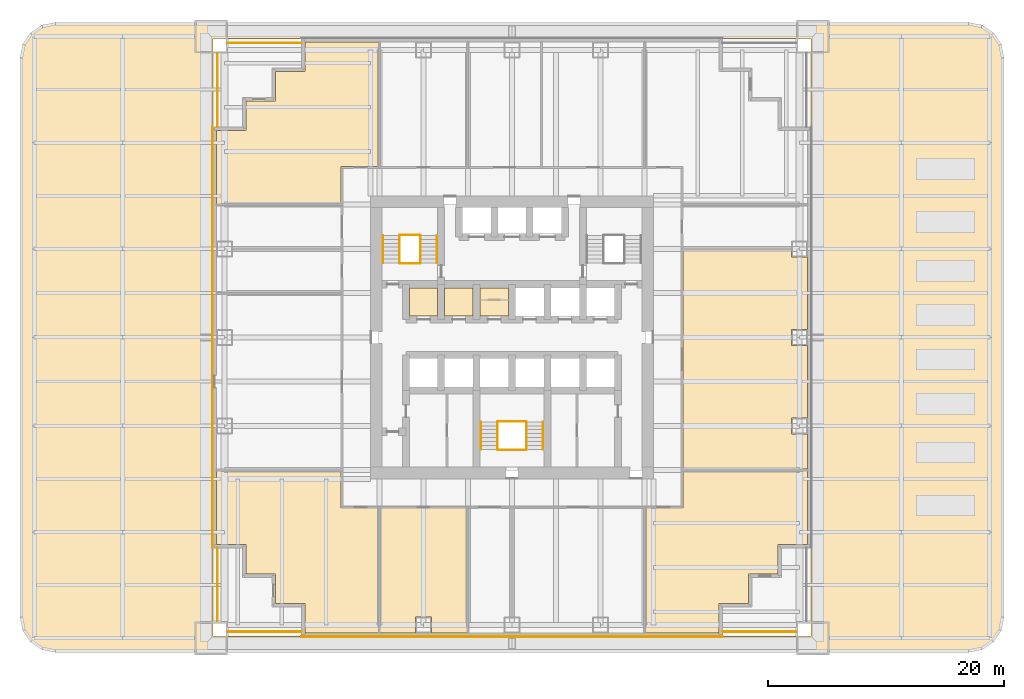
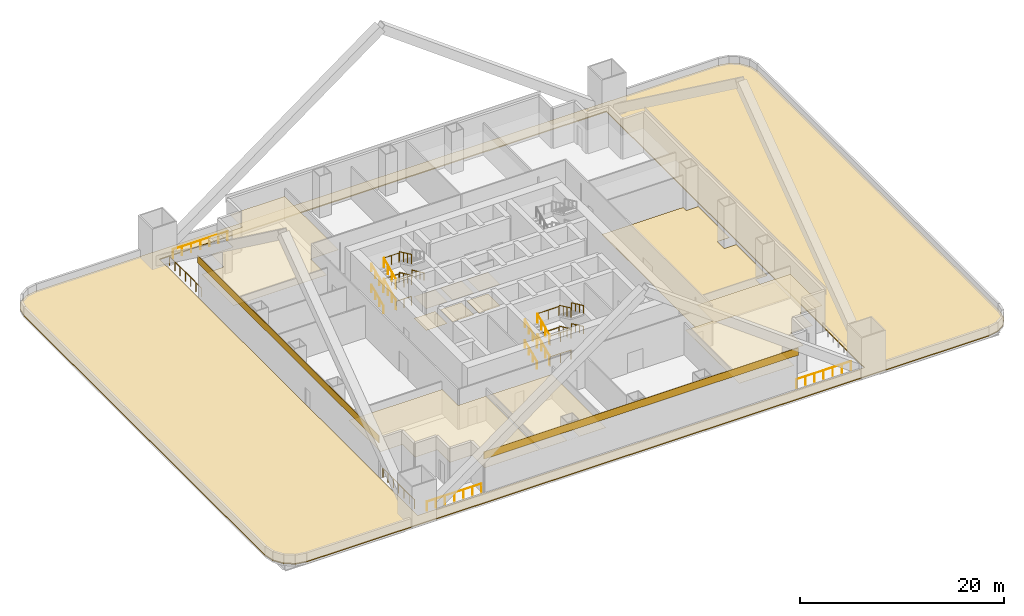
# One storey, part 9 of 10: 28 railings, 14 coverings.
"""IFC4 building model written with IfcOpenShell, lengths in metres."""

import ifcopenshell
import ifcopenshell.guid

model = None  # the IFC model being written
_history = None  # IfcOwnerHistory: only IFC2X3 demands one
_inside = {}  # id of a spatial element -> (the spatial element, [elements in it])
_under = {}  # id of a project, library or spatial element -> (it, [spatial elements below it])
_declared = {}  # id of a project -> (the project, [libraries it declares])
_typed = {}  # id of a type object -> (the type object, [elements of that type])
_made_of = {}  # id of a material, layer set ... -> (it, [elements and type objects made of it])


def new_model(schema):
    """Start an empty IFC model of exactly this schema.

    Asked for "IFC4X3", IfcOpenShell would pick the latest addendum, in which some entities
    have other attributes; the version numbers below select the first issue.
    IFC2X3 requires an IfcOwnerHistory on every rooted entity: one is made here for all.
    """
    global model, _history
    if schema == "IFC4X3":
        model = ifcopenshell.file(schema_version=(4, 3, 0, 0))
    else:
        model = ifcopenshell.file(schema=schema)
    _inside.clear()
    _under.clear()
    _declared.clear()
    _typed.clear()
    _made_of.clear()
    _history = None
    if model.schema == "IFC2X3":
        org = make("IfcOrganization", Name="unknown")
        user = make(
            "IfcPersonAndOrganization",
            ThePerson=make("IfcPerson", FamilyName="unknown"),
            TheOrganization=org,
        )
        app = make(
            "IfcApplication",
            ApplicationDeveloper=org,
            Version="unknown",
            ApplicationFullName="unknown",
            ApplicationIdentifier="unknown",
        )
        _history = make(
            "IfcOwnerHistory",
            OwningUser=user,
            OwningApplication=app,
            ChangeAction="ADDED",
            CreationDate=0,
        )
    return model


def make(cls, **values):
    """One entity of the class cls with the attributes given. An attribute that is None is left unset."""
    return model.create_entity(
        cls, **{name: value for name, value in values.items() if value is not None}
    )


def rooted(cls, **values):
    """An entity with a GlobalId (a new one), such as an element, a storey or a relation."""
    return make(cls, GlobalId=ifcopenshell.guid.new(), OwnerHistory=_history, **values)


def si_unit(unit_type, name, prefix=None):
    """IfcSIUnit, for example si_unit("LENGTHUNIT", "METRE", prefix="MILLI")."""
    return make("IfcSIUnit", UnitType=unit_type, Prefix=prefix, Name=name)


def assignment(units):
    """IfcUnitAssignment: the units of a project."""
    return None if units is None else make("IfcUnitAssignment", Units=units)


def point(xyz):
    """IfcCartesianPoint."""
    return None if xyz is None else make("IfcCartesianPoint", Coordinates=xyz)


def direction(xyz):
    """IfcDirection."""
    return None if xyz is None else make("IfcDirection", DirectionRatios=xyz)


def frame(location, z_axis=None, x_axis=None):
    """IfcAxis2Placement3D, a coordinate frame: its origin and axes. An axis left out is left unset."""
    return make(
        "IfcAxis2Placement3D",
        Location=point(location),
        Axis=direction(z_axis),
        RefDirection=direction(x_axis),
    )


def frame_2d(location, x_axis=None):
    """IfcAxis2Placement2D, a coordinate frame in the plane: its origin and x axis."""
    return make(
        "IfcAxis2Placement2D", Location=point(location), RefDirection=direction(x_axis)
    )


def origin():
    """The frame at (0, 0, 0) with its axes left unset."""
    return frame((0.0, 0.0, 0.0))


def origin_2d():
    """The frame at (0, 0) in the plane with its x axis left unset."""
    return frame_2d((0.0, 0.0))


def place(relative_to, where):
    """IfcLocalPlacement: puts the frame where relative to a parent placement (None: the world)."""
    return make(
        "IfcLocalPlacement", PlacementRelTo=relative_to, RelativePlacement=where
    )


def context(
    kind, dimensions, precision=None, world=None, true_north=None, identifier=None
):
    """IfcGeometricRepresentationContext, for example the 3D "Model" context."""
    return make(
        "IfcGeometricRepresentationContext",
        ContextIdentifier=identifier,
        ContextType=kind,
        CoordinateSpaceDimension=dimensions,
        Precision=precision,
        WorldCoordinateSystem=world,
        TrueNorth=true_north,
    )


def subcontext(parent, identifier, kind, view, scale=None):
    """IfcGeometricRepresentationSubContext, for example "Body" below "Model"."""
    return make(
        "IfcGeometricRepresentationSubContext",
        ContextIdentifier=identifier,
        ContextType=kind,
        ParentContext=parent,
        TargetScale=scale,
        TargetView=view,
    )


def project(units=None, contexts=None):
    """IfcProject with its units and contexts."""
    return rooted(
        "IfcProject",
        Name="project",
        RepresentationContexts=contexts,
        UnitsInContext=assignment(units),
    )


def spatial(cls, under=None, at=None, **own):
    """A site, building, storey or space (cls), placed at a placement, below another one or the project."""
    s = rooted(cls, ObjectPlacement=at, **own)
    if under is not None:
        _under.setdefault(under.id(), (under, []))[1].append(s)
    return s


def polyline(points):
    """IfcPolyline through the points."""
    return make("IfcPolyline", Points=[point(p) for p in points])


def profile(cls, at=None, kind="AREA", **sizes):
    """A parametric profile (cls). Its sizes go by their IFC names, for example OverallWidth=200.0."""
    return make(cls, ProfileType=kind, Position=at, **sizes)


def rectangle(**sizes):
    """IfcRectangleProfileDef."""
    return profile("IfcRectangleProfileDef", **sizes)


def circle(**sizes):
    """IfcCircleProfileDef."""
    return profile("IfcCircleProfileDef", **sizes)


def outline(outer, holes=None, kind="AREA"):
    """IfcArbitraryClosedProfileDef: a profile drawn as a closed curve; with holes, ...WithVoids."""
    if holes is None:
        return make("IfcArbitraryClosedProfileDef", ProfileType=kind, OuterCurve=outer)
    return make(
        "IfcArbitraryProfileDefWithVoids",
        ProfileType=kind,
        OuterCurve=outer,
        InnerCurves=holes,
    )


def extrude(swept, where, along, depth):
    """IfcExtrudedAreaSolid: the profile swept, set in the frame where, extruded along a direction by depth."""
    return make(
        "IfcExtrudedAreaSolid",
        SweptArea=swept,
        Position=where,
        ExtrudedDirection=direction(along),
        Depth=depth,
    )


def shape(context_of_items, identifier, shape_type, items):
    """IfcShapeRepresentation: the items that make up one representation, for example the "Body"."""
    return make(
        "IfcShapeRepresentation",
        ContextOfItems=context_of_items,
        RepresentationIdentifier=identifier,
        RepresentationType=shape_type,
        Items=items,
    )


def material(Name=None, Category=None):
    """IfcMaterial."""
    return make("IfcMaterial", Name=Name, Category=Category)


def layer(
    of_material, thickness, ventilated=None, Name=None, Category=None, Priority=None
):
    """IfcMaterialLayer: one layer of a wall or slab, of a material (None: an air gap)."""
    return make(
        "IfcMaterialLayer",
        Material=of_material,
        LayerThickness=thickness,
        IsVentilated=ventilated,
        Name=Name,
        Category=Category,
        Priority=Priority,
    )


def layer_set(layers, Name=None):
    """IfcMaterialLayerSet."""
    return make("IfcMaterialLayerSet", MaterialLayers=layers, LayerSetName=Name)


def made_of(thing, what):
    """Note that an element or type object is made of a material, layer set ...; save() writes the relation."""
    if what is not None:
        _made_of.setdefault(what.id(), (what, []))[1].append(thing)
    return thing


def type_object(cls, material=None, **own):
    """A type object (cls), such as IfcWallType, which elements share."""
    return made_of(rooted(cls, **own), material)


def element(
    cls,
    number,
    at=None,
    inside=None,
    cuts=None,
    type_object=None,
    material=None,
    context=None,
    identifier="Body",
    shape_type=None,
    held_by="IfcProductDefinitionShape",
    body=None,
    shapes=None,
    **own,
):
    """One element of the class cls, such as IfcWall. Its Tag is "e" and its number.

    at: its placement. inside: the storey or other place that contains it. cuts: it is an
    opening in that element (IfcRelVoidsElement). A single representation is given by context,
    identifier, shape_type and body (its items); several are given by shapes. held_by: the class
    of the entity that holds the representations. save() writes the other relations.
    """
    e = rooted(cls, Tag="e%d" % number, ObjectPlacement=at, **own)
    if body is not None:
        shapes = [shape(context, identifier, shape_type, body)]
    if shapes is not None:
        e.Representation = make(held_by, Representations=shapes)
    if inside is not None:
        _inside.setdefault(inside.id(), (inside, []))[1].append(e)
    if cuts is not None:
        rooted(
            "IfcRelVoidsElement", RelatingBuildingElement=cuts, RelatedOpeningElement=e
        )
    if type_object is not None:
        _typed.setdefault(type_object.id(), (type_object, []))[1].append(e)
    return made_of(e, material)


def aggregate(whole, parts):
    """IfcRelAggregates: a whole, such as a stair, and the parts it consists of."""
    return rooted("IfcRelAggregates", RelatingObject=whole, RelatedObjects=parts)


def save(model, path):
    """Write the relations noted so far, then the file.

    IfcRelAggregates (storeys below a building ...), IfcRelContainedInSpatialStructure (elements
    in a storey), IfcRelDefinesByType, IfcRelAssociatesMaterial and IfcRelDeclares: one each for
    every whole, place, type object, material and project.
    """
    for whole, parts in _under.values():
        aggregate(whole, parts)
    for where, things in _inside.values():
        rooted(
            "IfcRelContainedInSpatialStructure",
            RelatedElements=things,
            RelatingStructure=where,
        )
    for kind, things in _typed.values():
        rooted("IfcRelDefinesByType", RelatedObjects=things, RelatingType=kind)
    for what, things in _made_of.values():
        rooted("IfcRelAssociatesMaterial", RelatedObjects=things, RelatingMaterial=what)
    for by, libraries in _declared.values():
        rooted("IfcRelDeclares", RelatingContext=by, RelatedDefinitions=libraries)
    model.write(path)


model = new_model("IFC4")

# Units and contexts
model_context = context("Model", 3, precision=1e-05, world=origin(), true_north=direction((0.0, 1.0)))
body_context = subcontext(model_context, "Body", "Model", "MODEL_VIEW")
ifc_project = project(units=[si_unit("LENGTHUNIT", "METRE"), si_unit("AREAUNIT", "SQUARE_METRE"), si_unit("VOLUMEUNIT", "CUBIC_METRE"), si_unit("PLANEANGLEUNIT", "RADIAN"), si_unit("MASSUNIT", "GRAM", prefix="KILO")], contexts=[model_context])

# Site, building, storey
site_placement = place(None, origin())
site = spatial("IfcSite", under=ifc_project, at=site_placement, CompositionType="ELEMENT")
building_placement = place(site_placement, origin())
building = spatial("IfcBuilding", under=site, at=building_placement, Name="Tarangal Relay Tower", CompositionType="ELEMENT")
storey_placement = place(building_placement, frame((0.0, 0.0, 23.39990234375)))
storey = spatial("IfcBuildingStorey", under=building, at=storey_placement, Name="L04", CompositionType="ELEMENT", Elevation=23.39990234375)

# Coverings
ifc_material_1 = material(Name="Anti-static vinyl flooring", Category="plastic")
ifc_layer_1 = layer(ifc_material_1, 0.010009765625)
ifc_layer_set_1 = layer_set([ifc_layer_1], Name="Anti-static vinyl floor")
covering_type_1 = type_object("IfcCoveringType", Name="Anti-static vinyl floor", PredefinedType="FLOORING", material=ifc_layer_set_1)
covering_1_placement = place(storey_placement, origin())
element("IfcCovering", 1, at=covering_1_placement, inside=storey, type_object=covering_type_1, Name="Floor finish FL1 L04-D1", PredefinedType="FLOORING", context=body_context, shape_type="SweptSolid", body=[
    extrude(outline(polyline([(-8.699951171875, 1.800048828125), (-6.300048828125, 1.800048828125), (-6.300048828125, 4.199951171875), (-8.699951171875, 4.199951171875), (-8.699951171875, 1.800048828125)])), origin(), (0.0, 0.0, 1.0), 0.010009765625),
])
covering_2_placement = place(storey_placement, origin())
element("IfcCovering", 2, at=covering_2_placement, inside=storey, type_object=covering_type_1, Name="Floor finish FL1 L04-D2", PredefinedType="FLOORING", context=body_context, shape_type="SweptSolid", body=[
    extrude(outline(polyline([(-5.699951171875, 1.800048828125), (-3.300048828125, 1.800048828125), (-3.300048828125, 4.199951171875), (-5.699951171875, 4.199951171875), (-5.699951171875, 1.800048828125)])), origin(), (0.0, 0.0, 1.0), 0.010009765625),
])
covering_3_placement = place(storey_placement, origin())
element("IfcCovering", 3, at=covering_3_placement, inside=storey, type_object=covering_type_1, Name="Floor finish FL1 L04-D3", PredefinedType="FLOORING", context=body_context, shape_type="SweptSolid", body=[
    extrude(outline(polyline([(-2.699951171875, 1.800048828125), (-0.300048828125, 1.800048828125), (-0.300048828125, 4.199951171875), (-2.699951171875, 4.199951171875), (-2.699951171875, 1.800048828125)])), origin(), (0.0, 0.0, 1.0), 0.010009765625),
])
covering_4_placement = place(storey_placement, origin())
element("IfcCovering", 4, at=covering_4_placement, inside=storey, type_object=covering_type_1, Name="Floor finish FL1 L04-06", PredefinedType="FLOORING", context=body_context, shape_type="SweptSolid", body=[
    extrude(outline(polyline([(25.050048828125, -11.175048828125), (25.050048828125, 7.5), (25.0400390625, 7.5), (25.0400390625, 6.824951171875), (23.68994140625, 6.824951171875), (23.68994140625, 7.425048828125), (14.47509765625, 7.425048828125), (14.47509765625, -11.175048828125), (25.050048828125, -11.175048828125)]), holes=[polyline([(25.0400390625, -8.175048828125), (25.0400390625, -6.824951171875), (23.68994140625, -6.824951171875), (23.68994140625, -8.175048828125), (25.0400390625, -8.175048828125)]), polyline([(23.68994140625, -0.675048828125), (25.0400390625, -0.675048828125), (25.0400390625, 0.675048828125), (23.68994140625, 0.675048828125), (23.68994140625, -0.675048828125)])]), origin(), (0.0, 0.0, 1.0), 0.010009765625),
])
ifc_material_2 = material(Name="Black anodised aluminium cladding", Category="aluminium")
ifc_layer_2 = layer(ifc_material_2, 0.050048828125)
ifc_layer_set_2 = layer_set([ifc_layer_2], Name="Black metal spandrel band")
covering_type_2 = type_object("IfcCoveringType", Name="Black metal spandrel band", PredefinedType="CLADDING", material=ifc_layer_set_2)
for number, where, z_axis, x_axis, name in (
    (5, (0.0, -25.375, 4.250244140625), (0.0, 0.0, 1.0), (-1.0, 0.0, 0.0), "Spandrel band SB1 S L04"),
    (6, (-25.375, 0.0, 4.250244140625), (0.0, 0.0, 1.0), (0.0, 1.0, 0.0), "Spandrel band SB1 W L04"),
):
    element("IfcCovering", number, at=place(storey_placement, frame(where, z_axis=z_axis, x_axis=x_axis)), inside=storey, type_object=covering_type_2, Name=name, PredefinedType="CLADDING", context=body_context, shape_type="SweptSolid", body=[
        extrude(rectangle(XDim=35.699951171875, YDim=0.050048828125, at=origin_2d()), origin(), (0.0, 0.0, 1.0), 0.89990234375),
    ])
ifc_material_3 = material(Name="Bituminous membrane on rigid insulation", Category="plastic")
ifc_layer_3 = layer(ifc_material_3, 0.1201171875)
ifc_layer_set_3 = layer_set([ifc_layer_3], Name="Roof membrane and insulation")
covering_type_3 = type_object("IfcCoveringType", Name="Roof membrane and insulation", PredefinedType="ROOFING", material=ifc_layer_set_3)
covering_5_placement = place(storey_placement, origin())
element("IfcCovering", 7, at=covering_5_placement, inside=storey, type_object=covering_type_3, Name="Podium roofing RF2", PredefinedType="ROOFING", context=body_context, shape_type="SweptSolid", body=[
    extrude(outline(polyline([(41.699951171875, 23.699951171875), (41.4716796875, 24.84814453125), (40.8212890625, 25.8212890625), (39.84814453125, 26.4716796875), (38.699951171875, 26.699951171875), (-38.699951171875, 26.699951171875), (-39.84814453125, 26.4716796875), (-40.8212890625, 25.8212890625), (-41.4716796875, 24.84814453125), (-41.699951171875, 23.699951171875), (-41.699951171875, -23.699951171875), (-41.4716796875, -24.84814453125), (-40.8212890625, -25.8212890625), (-39.84814453125, -26.4716796875), (-38.699951171875, -26.699951171875), (38.699951171875, -26.699951171875), (39.84814453125, -26.4716796875), (40.8212890625, -25.8212890625), (41.4716796875, -24.84814453125), (41.699951171875, -23.699951171875), (41.699951171875, 23.699951171875)]), holes=[polyline([(-25.35009765625, -25.35009765625), (25.35009765625, -25.35009765625), (25.35009765625, 25.35009765625), (-25.35009765625, 25.35009765625), (-25.35009765625, -25.35009765625)])]), origin(), (0.0, 0.0, 1.0), 0.1201171875),
])

# Railings
ifc_material_4 = material(Name="Steel guard, black finish", Category="steel")
railing_type_1 = type_object("IfcRailingType", Name="Stair guard 1100", PredefinedType="GUARDRAIL", material=ifc_material_4)
railing_1_placement = place(storey_placement, frame((-9.530029296875, 6.300048828125, 0.15625)))
element("IfcRailing", 8, at=railing_1_placement, inside=storey, type_object=railing_type_1, Name="Stair ST-A guard GR1 L04 flight 1", PredefinedType="GUARDRAIL", context=body_context, shape_type="SweptSolid", body=[
    extrude(circle(Radius=0.02392578125, at=origin_2d()), frame((0.0, 0.0, 1.076171875), z_axis=(0.0, 0.90626748934, 0.422704669676), x_axis=(-1.0, 0.0, 0.0)), (0.0, 0.0, 1.0), 2.58740234375),
    extrude(circle(Radius=0.02099609375, at=origin_2d()), origin(), (0.0, 0.0, 1.0), 1.052001953125),
    extrude(circle(Radius=0.02099609375, at=origin_2d()), frame((0.0, 0.78173828125, 0.364501953125)), (0.0, 0.0, 1.0), 1.052001953125),
    extrude(circle(Radius=0.02099609375, at=origin_2d()), frame((0.0, 1.563232421875, 0.729248046875)), (0.0, 0.0, 1.0), 1.052001953125),
    extrude(circle(Radius=0.02099609375, at=origin_2d()), frame((0.0, 2.344970703125, 1.09375)), (0.0, 0.0, 1.0), 1.052001953125),
])
railing_2_placement = place(storey_placement, frame((-7.77001953125, 8.64501953125, 1.40625)))
element("IfcRailing", 9, at=railing_2_placement, inside=storey, type_object=railing_type_1, Name="Stair ST-A guard GR1 L04 flight 2", PredefinedType="GUARDRAIL", context=body_context, shape_type="SweptSolid", body=[
    extrude(circle(Radius=0.02392578125, at=origin_2d()), frame((0.0, 0.0, 1.076171875), z_axis=(0.0, -0.90626748934, 0.422704669676), x_axis=(1.0, 0.0, 0.0)), (0.0, 0.0, 1.0), 2.58740234375),
    extrude(circle(Radius=0.02099609375, at=origin_2d()), origin(), (0.0, 0.0, 1.0), 1.052001953125),
    extrude(circle(Radius=0.02099609375, at=origin_2d()), frame((0.0, -0.78173828125, 0.364501953125)), (0.0, 0.0, 1.0), 1.052001953125),
    extrude(circle(Radius=0.02099609375, at=origin_2d()), frame((0.0, -1.563232421875, 0.729248046875)), (0.0, 0.0, 1.0), 1.052001953125),
    extrude(circle(Radius=0.02099609375, at=origin_2d()), frame((0.0, -2.344970703125, 1.09375)), (0.0, 0.0, 1.0), 1.052001953125),
])
railing_3_placement = place(storey_placement, frame((-9.530029296875, 6.300048828125, 2.65625)))
element("IfcRailing", 10, at=railing_3_placement, inside=storey, type_object=railing_type_1, Name="Stair ST-A guard GR1 L04 flight 3", PredefinedType="GUARDRAIL", context=body_context, shape_type="SweptSolid", body=[
    extrude(circle(Radius=0.02392578125, at=origin_2d()), frame((0.0, 0.0, 1.076171875), z_axis=(0.0, 0.90626748934, 0.422704669676), x_axis=(-1.0, 0.0, 0.0)), (0.0, 0.0, 1.0), 2.58740234375),
    extrude(circle(Radius=0.02099609375, at=origin_2d()), origin(), (0.0, 0.0, 1.0), 1.052001953125),
    extrude(circle(Radius=0.02099609375, at=origin_2d()), frame((0.0, 0.78173828125, 0.364501953125)), (0.0, 0.0, 1.0), 1.052001953125),
    extrude(circle(Radius=0.02099609375, at=origin_2d()), frame((0.0, 1.563232421875, 0.729248046875)), (0.0, 0.0, 1.0), 1.052001953125),
    extrude(circle(Radius=0.02099609375, at=origin_2d()), frame((0.0, 2.344970703125, 1.09375)), (0.0, 0.0, 1.0), 1.052001953125),
])
railing_4_placement = place(storey_placement, frame((-7.77001953125, 8.64501953125, 3.90625)))
element("IfcRailing", 11, at=railing_4_placement, inside=storey, type_object=railing_type_1, Name="Stair ST-A guard GR1 L04 flight 4", PredefinedType="GUARDRAIL", context=body_context, shape_type="SweptSolid", body=[
    extrude(circle(Radius=0.02392578125, at=origin_2d()), frame((0.0, 0.0, 1.076171875), z_axis=(0.0, -0.90626748934, 0.422704669676), x_axis=(1.0, 0.0, 0.0)), (0.0, 0.0, 1.0), 2.58740234375),
    extrude(circle(Radius=0.02099609375, at=origin_2d()), origin(), (0.0, 0.0, 1.0), 1.052001953125),
    extrude(circle(Radius=0.02099609375, at=origin_2d()), frame((0.0, -0.78173828125, 0.364501953125)), (0.0, 0.0, 1.0), 1.052001953125),
    extrude(circle(Radius=0.02099609375, at=origin_2d()), frame((0.0, -1.563232421875, 0.729248046875)), (0.0, 0.0, 1.0), 1.052001953125),
    extrude(circle(Radius=0.02099609375, at=origin_2d()), frame((0.0, -2.344970703125, 1.09375)), (0.0, 0.0, 1.0), 1.052001953125),
])
for number, where, name in (
    (12, (-9.5, 6.27001953125, 0.0), "Stair ST-A landing guard GR1 L04"),
    (13, (-9.5, 8.675048828125, 1.25), "Stair ST-A landing guard GR1 L04"),
    (14, (-9.5, 6.27001953125, 2.5), "Stair ST-A landing guard GR1 L04"),
    (15, (-9.5, 8.675048828125, 3.75), "Stair ST-A landing guard GR1 L04"),
):
    element("IfcRailing", number, at=place(storey_placement, frame(where)), inside=storey, type_object=railing_type_1, Name=name, PredefinedType="GUARDRAIL", context=body_context, shape_type="SweptSolid", body=[
        extrude(circle(Radius=0.02392578125, at=origin_2d()), frame((0.0, 0.0, 1.076171875), z_axis=(1.0, 0.0, 0.0), x_axis=(0.0, 1.0, 0.0)), (0.0, 0.0, 1.0), 1.699951171875),
        extrude(circle(Radius=0.02099609375, at=origin_2d()), origin(), (0.0, 0.0, 1.0), 1.052001953125),
        extrude(circle(Radius=0.02099609375, at=origin_2d()), frame((0.85009765625, 0.0, 0.0)), (0.0, 0.0, 1.0), 1.052001953125),
        extrude(circle(Radius=0.02099609375, at=origin_2d()), frame((1.699951171875, 0.0, 0.0)), (0.0, 0.0, 1.0), 1.052001953125),
    ])
railing_5_placement = place(storey_placement, frame((-1.22998046875, -9.5, 0.15625)))
element("IfcRailing", 16, at=railing_5_placement, inside=storey, type_object=railing_type_1, Name="Stair ST-C guard GR1 L04 flight 1", PredefinedType="GUARDRAIL", context=body_context, shape_type="SweptSolid", body=[
    extrude(circle(Radius=0.02392578125, at=origin_2d()), frame((0.0, 0.0, 1.076171875), z_axis=(0.0, 0.90626748934, 0.422704669676), x_axis=(-1.0, 0.0, 0.0)), (0.0, 0.0, 1.0), 2.58740234375),
    extrude(circle(Radius=0.02099609375, at=origin_2d()), origin(), (0.0, 0.0, 1.0), 1.052001953125),
    extrude(circle(Radius=0.02099609375, at=origin_2d()), frame((0.0, 0.78173828125, 0.364501953125)), (0.0, 0.0, 1.0), 1.052001953125),
    extrude(circle(Radius=0.02099609375, at=origin_2d()), frame((0.0, 1.563232421875, 0.729248046875)), (0.0, 0.0, 1.0), 1.052001953125),
    extrude(circle(Radius=0.02099609375, at=origin_2d()), frame((0.0, 2.344970703125, 1.09375)), (0.0, 0.0, 1.0), 1.052001953125),
])
railing_6_placement = place(storey_placement, frame((1.22998046875, -7.155029296875, 1.40625)))
element("IfcRailing", 17, at=railing_6_placement, inside=storey, type_object=railing_type_1, Name="Stair ST-C guard GR1 L04 flight 2", PredefinedType="GUARDRAIL", context=body_context, shape_type="SweptSolid", body=[
    extrude(circle(Radius=0.02392578125, at=origin_2d()), frame((0.0, 0.0, 1.076171875), z_axis=(0.0, -0.90626748934, 0.422704669676), x_axis=(1.0, 0.0, 0.0)), (0.0, 0.0, 1.0), 2.58740234375),
    extrude(circle(Radius=0.02099609375, at=origin_2d()), origin(), (0.0, 0.0, 1.0), 1.052001953125),
    extrude(circle(Radius=0.02099609375, at=origin_2d()), frame((0.0, -0.78173828125, 0.364501953125)), (0.0, 0.0, 1.0), 1.052001953125),
    extrude(circle(Radius=0.02099609375, at=origin_2d()), frame((0.0, -1.563232421875, 0.729248046875)), (0.0, 0.0, 1.0), 1.052001953125),
    extrude(circle(Radius=0.02099609375, at=origin_2d()), frame((0.0, -2.344970703125, 1.09375)), (0.0, 0.0, 1.0), 1.052001953125),
])
railing_7_placement = place(storey_placement, frame((-1.22998046875, -9.5, 2.65625)))
element("IfcRailing", 18, at=railing_7_placement, inside=storey, type_object=railing_type_1, Name="Stair ST-C guard GR1 L04 flight 3", PredefinedType="GUARDRAIL", context=body_context, shape_type="SweptSolid", body=[
    extrude(circle(Radius=0.02392578125, at=origin_2d()), frame((0.0, 0.0, 1.076171875), z_axis=(0.0, 0.90626748934, 0.422704669676), x_axis=(-1.0, 0.0, 0.0)), (0.0, 0.0, 1.0), 2.58740234375),
    extrude(circle(Radius=0.02099609375, at=origin_2d()), origin(), (0.0, 0.0, 1.0), 1.052001953125),
    extrude(circle(Radius=0.02099609375, at=origin_2d()), frame((0.0, 0.78173828125, 0.364501953125)), (0.0, 0.0, 1.0), 1.052001953125),
    extrude(circle(Radius=0.02099609375, at=origin_2d()), frame((0.0, 1.563232421875, 0.729248046875)), (0.0, 0.0, 1.0), 1.052001953125),
    extrude(circle(Radius=0.02099609375, at=origin_2d()), frame((0.0, 2.344970703125, 1.09375)), (0.0, 0.0, 1.0), 1.052001953125),
])
railing_8_placement = place(storey_placement, frame((1.22998046875, -7.155029296875, 3.90625)))
element("IfcRailing", 19, at=railing_8_placement, inside=storey, type_object=railing_type_1, Name="Stair ST-C guard GR1 L04 flight 4", PredefinedType="GUARDRAIL", context=body_context, shape_type="SweptSolid", body=[
    extrude(circle(Radius=0.02392578125, at=origin_2d()), frame((0.0, 0.0, 1.076171875), z_axis=(0.0, -0.90626748934, 0.422704669676), x_axis=(1.0, 0.0, 0.0)), (0.0, 0.0, 1.0), 2.58740234375),
    extrude(circle(Radius=0.02099609375, at=origin_2d()), origin(), (0.0, 0.0, 1.0), 1.052001953125),
    extrude(circle(Radius=0.02099609375, at=origin_2d()), frame((0.0, -0.78173828125, 0.364501953125)), (0.0, 0.0, 1.0), 1.052001953125),
    extrude(circle(Radius=0.02099609375, at=origin_2d()), frame((0.0, -1.563232421875, 0.729248046875)), (0.0, 0.0, 1.0), 1.052001953125),
    extrude(circle(Radius=0.02099609375, at=origin_2d()), frame((0.0, -2.344970703125, 1.09375)), (0.0, 0.0, 1.0), 1.052001953125),
])
for number, where, name in (
    (20, (-1.199951171875, -9.530029296875, 0.0), "Stair ST-C landing guard GR1 L04"),
    (21, (-1.199951171875, -7.125, 1.25), "Stair ST-C landing guard GR1 L04"),
    (22, (-1.199951171875, -9.530029296875, 2.5), "Stair ST-C landing guard GR1 L04"),
    (23, (-1.199951171875, -7.125, 3.75), "Stair ST-C landing guard GR1 L04"),
):
    element("IfcRailing", number, at=place(storey_placement, frame(where)), inside=storey, type_object=railing_type_1, Name=name, PredefinedType="GUARDRAIL", context=body_context, shape_type="SweptSolid", body=[
        extrude(circle(Radius=0.02392578125, at=origin_2d()), frame((0.0, 0.0, 1.076171875), z_axis=(1.0, 0.0, 0.0), x_axis=(0.0, 1.0, 0.0)), (0.0, 0.0, 1.0), 2.39990234375),
        extrude(circle(Radius=0.02099609375, at=origin_2d()), origin(), (0.0, 0.0, 1.0), 1.052001953125),
        extrude(circle(Radius=0.02099609375, at=origin_2d()), frame((1.199951171875, 0.0, 0.0)), (0.0, 0.0, 1.0), 1.052001953125),
        extrude(circle(Radius=0.02099609375, at=origin_2d()), frame((2.39990234375, 0.0, 0.0)), (0.0, 0.0, 1.0), 1.052001953125),
    ])
ifc_material_5 = material(Name="Steel handrail, black finish", Category="steel")
railing_type_2 = type_object("IfcRailingType", Name="Stair handrail 900", PredefinedType="HANDRAIL", material=ifc_material_5)
railing_9_placement = place(storey_placement, frame((-10.93994140625, 6.300048828125, 0.15625)))
element("IfcRailing", 24, at=railing_9_placement, inside=storey, type_object=railing_type_2, Name="Stair ST-A handrail HR1 L04 flight 1", PredefinedType="HANDRAIL", context=body_context, shape_type="SweptSolid", body=[
    extrude(circle(Radius=0.02392578125, at=origin_2d()), frame((0.0, 0.0, 0.8759765625), z_axis=(0.0, 0.90626748934, 0.422704669676), x_axis=(-1.0, 0.0, 0.0)), (0.0, 0.0, 1.0), 2.58740234375),
    extrude(circle(Radius=0.02099609375, at=origin_2d()), origin(), (0.0, 0.0, 1.0), 0.851806640625),
    extrude(circle(Radius=0.02099609375, at=origin_2d()), frame((0.0, 0.78173828125, 0.364501953125)), (0.0, 0.0, 1.0), 0.851806640625),
    extrude(circle(Radius=0.02099609375, at=origin_2d()), frame((0.0, 1.563232421875, 0.729248046875)), (0.0, 0.0, 1.0), 0.851806640625),
    extrude(circle(Radius=0.02099609375, at=origin_2d()), frame((0.0, 2.344970703125, 1.09375)), (0.0, 0.0, 1.0), 0.851806640625),
])
railing_10_placement = place(storey_placement, frame((-6.360107421875, 8.64501953125, 1.40625)))
element("IfcRailing", 25, at=railing_10_placement, inside=storey, type_object=railing_type_2, Name="Stair ST-A handrail HR1 L04 flight 2", PredefinedType="HANDRAIL", context=body_context, shape_type="SweptSolid", body=[
    extrude(circle(Radius=0.02392578125, at=origin_2d()), frame((0.0, 0.0, 0.8759765625), z_axis=(0.0, -0.90626748934, 0.422704669676), x_axis=(1.0, 0.0, 0.0)), (0.0, 0.0, 1.0), 2.58740234375),
    extrude(circle(Radius=0.02099609375, at=origin_2d()), origin(), (0.0, 0.0, 1.0), 0.851806640625),
    extrude(circle(Radius=0.02099609375, at=origin_2d()), frame((0.0, -0.78173828125, 0.364501953125)), (0.0, 0.0, 1.0), 0.851806640625),
    extrude(circle(Radius=0.02099609375, at=origin_2d()), frame((0.0, -1.563232421875, 0.729248046875)), (0.0, 0.0, 1.0), 0.851806640625),
    extrude(circle(Radius=0.02099609375, at=origin_2d()), frame((0.0, -2.344970703125, 1.09375)), (0.0, 0.0, 1.0), 0.851806640625),
])
for number, where, name in (
    (26, (-10.93994140625, 6.300048828125, 2.65625), "Stair ST-A handrail HR1 L04 flight 3"),
    (27, (-2.639892578125, -9.5, 0.15625), "Stair ST-C handrail HR1 L04 flight 1"),
):
    element("IfcRailing", number, at=place(storey_placement, frame(where)), inside=storey, type_object=railing_type_2, Name=name, PredefinedType="HANDRAIL", context=body_context, shape_type="SweptSolid", body=[
        extrude(circle(Radius=0.02392578125, at=origin_2d()), frame((0.0, 0.0, 0.8759765625), z_axis=(0.0, 0.90626748934, 0.422704669676), x_axis=(-1.0, 0.0, 0.0)), (0.0, 0.0, 1.0), 2.58740234375),
        extrude(circle(Radius=0.02099609375, at=origin_2d()), origin(), (0.0, 0.0, 1.0), 0.851806640625),
        extrude(circle(Radius=0.02099609375, at=origin_2d()), frame((0.0, 0.78173828125, 0.364501953125)), (0.0, 0.0, 1.0), 0.851806640625),
        extrude(circle(Radius=0.02099609375, at=origin_2d()), frame((0.0, 1.563232421875, 0.729248046875)), (0.0, 0.0, 1.0), 0.851806640625),
        extrude(circle(Radius=0.02099609375, at=origin_2d()), frame((0.0, 2.344970703125, 1.09375)), (0.0, 0.0, 1.0), 0.851806640625),
    ])
railing_11_placement = place(storey_placement, frame((2.639892578125, -7.155029296875, 1.40625)))
element("IfcRailing", 28, at=railing_11_placement, inside=storey, type_object=railing_type_2, Name="Stair ST-C handrail HR1 L04 flight 2", PredefinedType="HANDRAIL", context=body_context, shape_type="SweptSolid", body=[
    extrude(circle(Radius=0.02392578125, at=origin_2d()), frame((0.0, 0.0, 0.8759765625), z_axis=(0.0, -0.90626748934, 0.422704669676), x_axis=(1.0, 0.0, 0.0)), (0.0, 0.0, 1.0), 2.58740234375),
    extrude(circle(Radius=0.02099609375, at=origin_2d()), origin(), (0.0, 0.0, 1.0), 0.851806640625),
    extrude(circle(Radius=0.02099609375, at=origin_2d()), frame((0.0, -0.78173828125, 0.364501953125)), (0.0, 0.0, 1.0), 0.851806640625),
    extrude(circle(Radius=0.02099609375, at=origin_2d()), frame((0.0, -1.563232421875, 0.729248046875)), (0.0, 0.0, 1.0), 0.851806640625),
    extrude(circle(Radius=0.02099609375, at=origin_2d()), frame((0.0, -2.344970703125, 1.09375)), (0.0, 0.0, 1.0), 0.851806640625),
])
railing_12_placement = place(storey_placement, frame((-2.639892578125, -9.5, 2.65625)))
element("IfcRailing", 29, at=railing_12_placement, inside=storey, type_object=railing_type_2, Name="Stair ST-C handrail HR1 L04 flight 3", PredefinedType="HANDRAIL", context=body_context, shape_type="SweptSolid", body=[
    extrude(circle(Radius=0.02392578125, at=origin_2d()), frame((0.0, 0.0, 0.8759765625), z_axis=(0.0, 0.90626748934, 0.422704669676), x_axis=(-1.0, 0.0, 0.0)), (0.0, 0.0, 1.0), 2.58740234375),
    extrude(circle(Radius=0.02099609375, at=origin_2d()), origin(), (0.0, 0.0, 1.0), 0.851806640625),
    extrude(circle(Radius=0.02099609375, at=origin_2d()), frame((0.0, 0.78173828125, 0.364501953125)), (0.0, 0.0, 1.0), 0.851806640625),
    extrude(circle(Radius=0.02099609375, at=origin_2d()), frame((0.0, 1.563232421875, 0.729248046875)), (0.0, 0.0, 1.0), 0.851806640625),
    extrude(circle(Radius=0.02099609375, at=origin_2d()), frame((0.0, 2.344970703125, 1.09375)), (0.0, 0.0, 1.0), 0.851806640625),
])
railing_13_placement = place(storey_placement, frame((2.639892578125, -7.155029296875, 3.90625)))
element("IfcRailing", 30, at=railing_13_placement, inside=storey, type_object=railing_type_2, Name="Stair ST-C handrail HR1 L04 flight 4", PredefinedType="HANDRAIL", context=body_context, shape_type="SweptSolid", body=[
    extrude(circle(Radius=0.02392578125, at=origin_2d()), frame((0.0, 0.0, 0.8759765625), z_axis=(0.0, -0.90626748934, 0.422704669676), x_axis=(1.0, 0.0, 0.0)), (0.0, 0.0, 1.0), 2.58740234375),
    extrude(circle(Radius=0.02099609375, at=origin_2d()), origin(), (0.0, 0.0, 1.0), 0.851806640625),
    extrude(circle(Radius=0.02099609375, at=origin_2d()), frame((0.0, -0.78173828125, 0.364501953125)), (0.0, 0.0, 1.0), 0.851806640625),
    extrude(circle(Radius=0.02099609375, at=origin_2d()), frame((0.0, -1.563232421875, 0.729248046875)), (0.0, 0.0, 1.0), 0.851806640625),
    extrude(circle(Radius=0.02099609375, at=origin_2d()), frame((0.0, -2.344970703125, 1.09375)), (0.0, 0.0, 1.0), 0.851806640625),
])

# Coverings
ifc_material_6 = material(Name="Mineral fibre ceiling tiles", Category="gypsum")
ifc_layer_4 = layer(ifc_material_6, 0.02001953125)
ifc_layer_set_4 = layer_set([ifc_layer_4], Name="Suspended ceiling")
covering_type_4 = type_object("IfcCoveringType", Name="Suspended ceiling", PredefinedType="CEILING", material=ifc_layer_set_4)
covering_6_placement = place(storey_placement, frame((0.0, 0.0, 2.60009765625)))
element("IfcCovering", 31, at=covering_6_placement, inside=storey, type_object=covering_type_4, Name="Suspended ceiling CL1 L04-D1", PredefinedType="CEILING", context=body_context, shape_type="SweptSolid", body=[
    extrude(outline(polyline([(-8.699951171875, 1.800048828125), (-6.300048828125, 1.800048828125), (-6.300048828125, 4.199951171875), (-8.699951171875, 4.199951171875), (-8.699951171875, 1.800048828125)])), origin(), (0.0, 0.0, 1.0), 0.02001953125),
])
covering_7_placement = place(storey_placement, frame((0.0, 0.0, 2.60009765625)))
element("IfcCovering", 32, at=covering_7_placement, inside=storey, type_object=covering_type_4, Name="Suspended ceiling CL1 L04-D2", PredefinedType="CEILING", context=body_context, shape_type="SweptSolid", body=[
    extrude(outline(polyline([(-5.699951171875, 1.800048828125), (-3.300048828125, 1.800048828125), (-3.300048828125, 4.199951171875), (-5.699951171875, 4.199951171875), (-5.699951171875, 1.800048828125)])), origin(), (0.0, 0.0, 1.0), 0.02001953125),
])
covering_8_placement = place(storey_placement, frame((0.0, 0.0, 2.60009765625)))
element("IfcCovering", 33, at=covering_8_placement, inside=storey, type_object=covering_type_4, Name="Suspended ceiling CL1 L04-D3", PredefinedType="CEILING", context=body_context, shape_type="SweptSolid", body=[
    extrude(outline(polyline([(-2.699951171875, 1.800048828125), (-0.300048828125, 1.800048828125), (-0.300048828125, 4.199951171875), (-2.699951171875, 4.199951171875), (-2.699951171875, 1.800048828125)])), origin(), (0.0, 0.0, 1.0), 0.02001953125),
])
covering_9_placement = place(storey_placement, frame((0.0, 0.0, 2.900146484375)))
element("IfcCovering", 34, at=covering_9_placement, inside=storey, type_object=covering_type_4, Name="Suspended ceiling CL1 L04-09", PredefinedType="CEILING", context=body_context, shape_type="SweptSolid", body=[
    extrude(outline(polyline([(-11.175048828125, -25.050048828125), (-3.824951171875, -25.050048828125), (-3.824951171875, -14.47509765625), (-11.175048828125, -14.47509765625), (-11.175048828125, -25.050048828125)]), holes=[polyline([(-6.824951171875, -23.68994140625), (-8.175048828125, -23.68994140625), (-8.175048828125, -25.0400390625), (-6.824951171875, -25.0400390625), (-6.824951171875, -23.68994140625)])]), origin(), (0.0, 0.0, 1.0), 0.02001953125),
])
covering_10_placement = place(storey_placement, frame((0.0, 0.0, 2.900146484375)))
element("IfcCovering", 35, at=covering_10_placement, inside=storey, type_object=covering_type_4, Name="Suspended ceiling CL1 L04-14", PredefinedType="CEILING", context=body_context, shape_type="SweptSolid", body=[
    extrude(outline(polyline([(25.050048828125, -17.550048828125), (25.050048828125, -11.324951171875), (14.47509765625, -11.324951171875), (14.47509765625, -14.47509765625), (11.324951171875, -14.47509765625), (11.324951171875, -25.050048828125), (17.550048828125, -25.050048828125), (17.550048828125, -22.550048828125), (20.050048828125, -22.550048828125), (20.050048828125, -20.050048828125), (22.550048828125, -20.050048828125), (22.550048828125, -17.550048828125), (25.050048828125, -17.550048828125)])), origin(), (0.0, 0.0, 1.0), 0.02001953125),
])
covering_11_placement = place(storey_placement, frame((0.0, 0.0, 2.900146484375)))
element("IfcCovering", 36, at=covering_11_placement, inside=storey, type_object=covering_type_4, Name="Suspended ceiling CL1 L04-15", PredefinedType="CEILING", context=body_context, shape_type="SweptSolid", body=[
    extrude(outline(polyline([(-17.550048828125, -22.550048828125), (-17.550048828125, -25.050048828125), (-11.324951171875, -25.050048828125), (-11.324951171875, -14.47509765625), (-14.47509765625, -14.47509765625), (-14.47509765625, -11.324951171875), (-25.050048828125, -11.324951171875), (-25.050048828125, -17.550048828125), (-22.550048828125, -17.550048828125), (-22.550048828125, -20.050048828125), (-20.050048828125, -20.050048828125), (-20.050048828125, -22.550048828125), (-17.550048828125, -22.550048828125)])), origin(), (0.0, 0.0, 1.0), 0.02001953125),
])
covering_12_placement = place(storey_placement, frame((0.0, 0.0, 2.900146484375)))
element("IfcCovering", 37, at=covering_12_placement, inside=storey, type_object=covering_type_4, Name="Suspended ceiling CL1 L04-16", PredefinedType="CEILING", context=body_context, shape_type="SweptSolid", body=[
    extrude(outline(polyline([(-22.550048828125, 17.550048828125), (-25.050048828125, 17.550048828125), (-25.050048828125, 11.324951171875), (-14.47509765625, 11.324951171875), (-14.47509765625, 14.47509765625), (-11.324951171875, 14.47509765625), (-11.324951171875, 25.050048828125), (-17.550048828125, 25.050048828125), (-17.550048828125, 22.550048828125), (-20.050048828125, 22.550048828125), (-20.050048828125, 20.050048828125), (-22.550048828125, 20.050048828125), (-22.550048828125, 17.550048828125)])), origin(), (0.0, 0.0, 1.0), 0.02001953125),
])

# Railings
ifc_material_7 = material(Name="Black steel guard with glass infill", Category="steel")
railing_type_3 = type_object("IfcRailingType", Name="Terrace guard 1100", PredefinedType="GUARDRAIL", material=ifc_material_7)
for number, where, name in (
    (38, (24.050048828125, -24.949951171875, 0.0), "Terrace guard GR2 SE L04"),
    (39, (-17.85009765625, -24.949951171875, 0.0), "Terrace guard GR2 SW L04"),
):
    element("IfcRailing", number, at=place(storey_placement, frame(where)), inside=storey, type_object=railing_type_3, Name=name, PredefinedType="GUARDRAIL", context=body_context, shape_type="SweptSolid", body=[
        extrude(circle(Radius=0.02392578125, at=origin_2d()), frame((0.0, 0.0, 1.076171875), z_axis=(-1.0, 0.0, 0.0), x_axis=(0.0, -1.0, 0.0)), (0.0, 0.0, 1.0), 6.199951171875),
        extrude(circle(Radius=0.02099609375, at=origin_2d()), origin(), (0.0, 0.0, 1.0), 1.052001953125),
        extrude(circle(Radius=0.02099609375, at=origin_2d()), frame((-1.033203125, 0.0, 0.0)), (0.0, 0.0, 1.0), 1.052001953125),
        extrude(circle(Radius=0.02099609375, at=origin_2d()), frame((-2.066650390625, 0.0, 0.0)), (0.0, 0.0, 1.0), 1.052001953125),
        extrude(circle(Radius=0.02099609375, at=origin_2d()), frame((-3.10009765625, 0.0, 0.0)), (0.0, 0.0, 1.0), 1.052001953125),
        extrude(circle(Radius=0.02099609375, at=origin_2d()), frame((-4.13330078125, 0.0, 0.0)), (0.0, 0.0, 1.0), 1.052001953125),
        extrude(circle(Radius=0.02099609375, at=origin_2d()), frame((-5.16650390625, 0.0, 0.0)), (0.0, 0.0, 1.0), 1.052001953125),
        extrude(circle(Radius=0.02099609375, at=origin_2d()), frame((-6.199951171875, 0.0, 0.0)), (0.0, 0.0, 1.0), 1.052001953125),
    ])
for number, where, name in (
    (40, (-24.949951171875, -24.050048828125, 0.0), "Terrace guard GR2 SW L04"),
    (41, (-24.949951171875, 17.85009765625, 0.0), "Terrace guard GR2 NW L04"),
):
    element("IfcRailing", number, at=place(storey_placement, frame(where)), inside=storey, type_object=railing_type_3, Name=name, PredefinedType="GUARDRAIL", context=body_context, shape_type="SweptSolid", body=[
        extrude(circle(Radius=0.02392578125, at=origin_2d()), frame((0.0, 0.0, 1.076171875), z_axis=(0.0, 1.0, 0.0), x_axis=(-1.0, 0.0, 0.0)), (0.0, 0.0, 1.0), 6.199951171875),
        extrude(circle(Radius=0.02099609375, at=origin_2d()), origin(), (0.0, 0.0, 1.0), 1.052001953125),
        extrude(circle(Radius=0.02099609375, at=origin_2d()), frame((0.0, 1.033203125, 0.0)), (0.0, 0.0, 1.0), 1.052001953125),
        extrude(circle(Radius=0.02099609375, at=origin_2d()), frame((0.0, 2.066650390625, 0.0)), (0.0, 0.0, 1.0), 1.052001953125),
        extrude(circle(Radius=0.02099609375, at=origin_2d()), frame((0.0, 3.10009765625, 0.0)), (0.0, 0.0, 1.0), 1.052001953125),
        extrude(circle(Radius=0.02099609375, at=origin_2d()), frame((0.0, 4.13330078125, 0.0)), (0.0, 0.0, 1.0), 1.052001953125),
        extrude(circle(Radius=0.02099609375, at=origin_2d()), frame((0.0, 5.16650390625, 0.0)), (0.0, 0.0, 1.0), 1.052001953125),
        extrude(circle(Radius=0.02099609375, at=origin_2d()), frame((0.0, 6.199951171875, 0.0)), (0.0, 0.0, 1.0), 1.052001953125),
    ])
railing_14_placement = place(storey_placement, frame((-24.050048828125, 24.949951171875, 0.0)))
element("IfcRailing", 42, at=railing_14_placement, inside=storey, type_object=railing_type_3, Name="Terrace guard GR2 NW L04", PredefinedType="GUARDRAIL", context=body_context, shape_type="SweptSolid", body=[
    extrude(circle(Radius=0.02392578125, at=origin_2d()), frame((0.0, 0.0, 1.076171875), z_axis=(1.0, 0.0, 0.0), x_axis=(0.0, 1.0, 0.0)), (0.0, 0.0, 1.0), 6.199951171875),
    extrude(circle(Radius=0.02099609375, at=origin_2d()), origin(), (0.0, 0.0, 1.0), 1.052001953125),
    extrude(circle(Radius=0.02099609375, at=origin_2d()), frame((1.033203125, 0.0, 0.0)), (0.0, 0.0, 1.0), 1.052001953125),
    extrude(circle(Radius=0.02099609375, at=origin_2d()), frame((2.066650390625, 0.0, 0.0)), (0.0, 0.0, 1.0), 1.052001953125),
    extrude(circle(Radius=0.02099609375, at=origin_2d()), frame((3.10009765625, 0.0, 0.0)), (0.0, 0.0, 1.0), 1.052001953125),
    extrude(circle(Radius=0.02099609375, at=origin_2d()), frame((4.13330078125, 0.0, 0.0)), (0.0, 0.0, 1.0), 1.052001953125),
    extrude(circle(Radius=0.02099609375, at=origin_2d()), frame((5.16650390625, 0.0, 0.0)), (0.0, 0.0, 1.0), 1.052001953125),
    extrude(circle(Radius=0.02099609375, at=origin_2d()), frame((6.199951171875, 0.0, 0.0)), (0.0, 0.0, 1.0), 1.052001953125),
])

save(model, "model.ifc")
